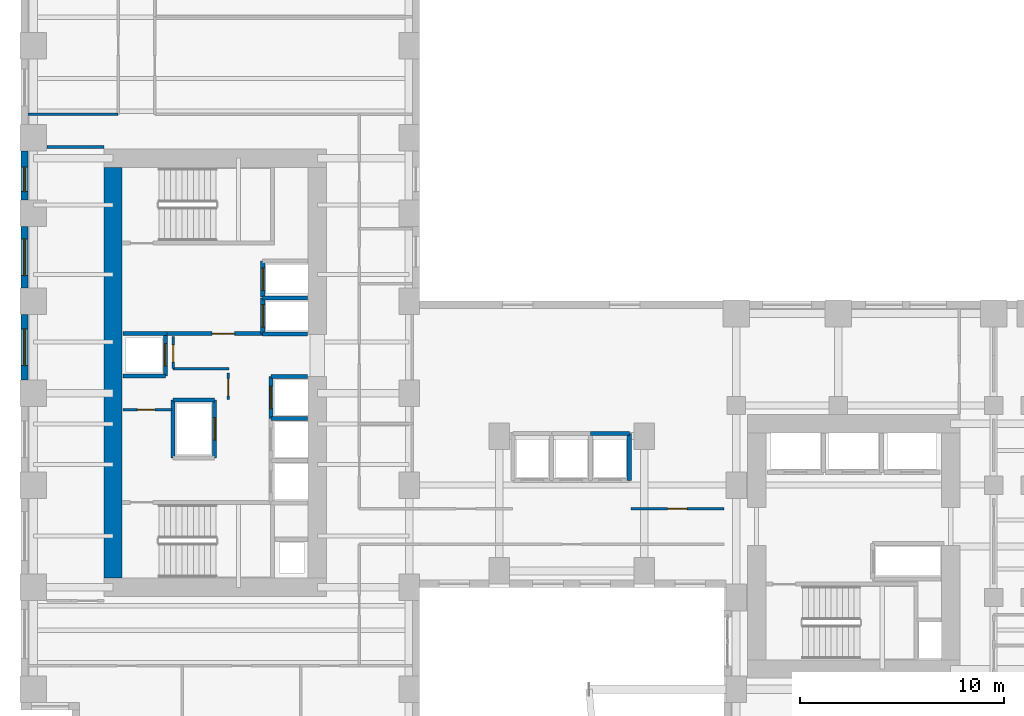
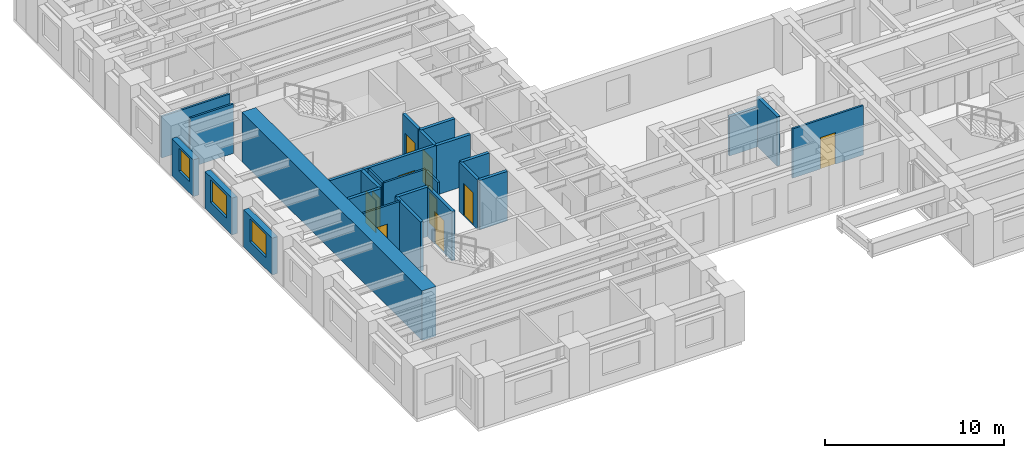
# One storey, part 8 of 14: 27 walls, 10 doors, 3 windows, 13 openings.
"""IFC4 building model written with IfcOpenShell, lengths in metres."""

from ifc_helpers import new_model, si_unit, direction, frame, frame_2d, origin, place, context, subcontext, project, spatial, rectangle, extrude, source, transform, mapped, material, layer, layer_set, type_object, element, fill, save


model = new_model("IFC4")

# Units and contexts
model_context = context("Model", 3, precision=1e-05, world=origin(), true_north=direction((0.0, 1.0)))
body_context = subcontext(model_context, "Body", "Model", "MODEL_VIEW")
ifc_project = project(units=[si_unit("LENGTHUNIT", "METRE"), si_unit("AREAUNIT", "SQUARE_METRE"), si_unit("VOLUMEUNIT", "CUBIC_METRE"), si_unit("PLANEANGLEUNIT", "RADIAN"), si_unit("MASSUNIT", "GRAM", prefix="KILO")], contexts=[model_context])

# Site, building, storey
site_placement = place(None, origin())
site = spatial("IfcSite", under=ifc_project, at=site_placement, CompositionType="ELEMENT")
building_placement = place(site_placement, origin())
building = spatial("IfcBuilding", under=site, at=building_placement, Name="Kharzan Plaza Tower", CompositionType="ELEMENT")
storey_placement = place(building_placement, frame((0.0, 0.0, 44.10009765625)))
storey = spatial("IfcBuildingStorey", under=building, at=storey_placement, Name="L11", CompositionType="ELEMENT", Elevation=44.10009765625)

# Wall, opening, window
ifc_material_1 = material(Name="Concrete C40/50", Category="concrete")
ifc_layer_1 = layer(ifc_material_1, 0.35009765625)
ifc_layer_set_1 = layer_set([ifc_layer_1], Name="Concrete C40/50")
wall_type_1 = type_object("IfcWallType", Name="WL-EXT-MAS-Z1", PredefinedType="SOLIDWALL", material=ifc_layer_set_1)
wall_1_placement = place(storey_placement, frame((0.175048828125, 29.85205078125, 0.0), z_axis=(0.0, 0.0, 1.0), x_axis=(0.0, -1.0, 0.0)))
wall_1 = element("IfcWall", 1, at=wall_1_placement, inside=storey, type_object=wall_type_1, Name="L11 Masonry-Frame Exterior Wall 14", PredefinedType="SOLIDWALL", context=body_context, shape_type="SweptSolid", body=[
    extrude(rectangle(XDim=2.404052734375, YDim=0.35009765625, at=frame_2d((1.2021484375, 0.0))), origin(), (0.0, 0.0, 1.0), 2.510009765625),
])
opening_1_placement = place(wall_1_placement, frame((0.786865234375, 0.0, 0.780029296875)))
opening_1 = element("IfcOpeningElement", 2, at=opening_1_placement, cuts=wall_1, Name="Opening W3", PredefinedType="OPENING", context=body_context, shape_type="SweptSolid", body=[
    extrude(rectangle(XDim=1.199951171875, YDim=1.550048828125, at=frame_2d((0.60009765625, 0.77490234375))), frame((0.0, 0.18505859375, 0.0), z_axis=(0.0, -1.0, 0.0), x_axis=(1.0, 0.0, 0.0)), (0.0, 0.0, 1.0), 0.3701171875),
])
ifc_material_2 = material(Name="Low-E Double Glazing", Category="glass")
window_type_1 = type_object("IfcWindowType", Name="WN-REC-1200x2100", PartitioningType="SINGLE_PANEL", PredefinedType="WINDOW", material=ifc_material_2)
shared_shape_1 = source(origin(), body_context, "Body", "SweptSolid", [
    extrude(rectangle(XDim=1.199951171875, YDim=1.550048828125, at=frame_2d((0.60009765625, 0.77490234375))), frame((0.0, 0.030029296875, 0.0), z_axis=(0.0, -1.0, 0.0), x_axis=(1.0, 0.0, 0.0)), (0.0, 0.0, 1.0), 0.06005859375),
])
window_1_placement = place(opening_1_placement, origin())
window_1 = element("IfcWindow", 3, at=window_1_placement, inside=storey, type_object=window_type_1, Name="L11 Recessed Solar-Control Window 14-1", OverallHeight=1.550048828125, OverallWidth=1.199951171875, PartitioningType="SINGLE_PANEL", PredefinedType="WINDOW", context=body_context, shape_type="MappedRepresentation", body=[
    mapped(shared_shape_1, transform((0.0, 0.0, 0.0), x_axis=(1.0, 0.0, 0.0), y_axis=(0.0, 1.0, 0.0), z_axis=(0.0, 0.0, 1.0))),
])
fill(opening_1, window_1)

wall_2_placement = place(storey_placement, frame((0.175048828125, 26.152099609375, 0.0), z_axis=(0.0, 0.0, 1.0), x_axis=(0.0, -1.0, 0.0)))
wall_2 = element("IfcWall", 4, at=wall_2_placement, inside=storey, type_object=wall_type_1, Name="L11 Masonry-Frame Exterior Wall 15", PredefinedType="SOLIDWALL", context=body_context, shape_type="SweptSolid", body=[
    extrude(rectangle(XDim=3.004150390625, YDim=0.35009765625, at=frame_2d((1.501953125, 0.0))), origin(), (0.0, 0.0, 1.0), 2.510009765625),
])
opening_2_placement = place(wall_2_placement, frame((0.60205078125, 0.0, 0.780029296875)))
opening_2 = element("IfcOpeningElement", 5, at=opening_2_placement, cuts=wall_2, Name="Opening W1", PredefinedType="OPENING", context=body_context, shape_type="SweptSolid", body=[
    extrude(rectangle(XDim=1.800048828125, YDim=1.550048828125, at=frame_2d((0.89990234375, 0.77490234375))), frame((0.0, 0.18505859375, 0.0), z_axis=(0.0, -1.0, 0.0), x_axis=(1.0, 0.0, 0.0)), (0.0, 0.0, 1.0), 0.3701171875),
])
window_type_2 = type_object("IfcWindowType", Name="WN-REC-1800x2100", PartitioningType="SINGLE_PANEL", PredefinedType="WINDOW", material=ifc_material_2)
shared_shape_2 = source(origin(), body_context, "Body", "SweptSolid", [
    extrude(rectangle(XDim=1.800048828125, YDim=1.550048828125, at=frame_2d((0.89990234375, 0.77490234375))), frame((0.0, 0.030029296875, 0.0), z_axis=(0.0, -1.0, 0.0), x_axis=(1.0, 0.0, 0.0)), (0.0, 0.0, 1.0), 0.06005859375),
])
window_2_placement = place(opening_2_placement, origin())
window_2 = element("IfcWindow", 6, at=window_2_placement, inside=storey, type_object=window_type_2, Name="L11 Recessed Solar-Control Window 15-1", OverallHeight=1.550048828125, OverallWidth=1.800048828125, PartitioningType="SINGLE_PANEL", PredefinedType="WINDOW", context=body_context, shape_type="MappedRepresentation", body=[
    mapped(shared_shape_2, transform((0.0, 0.0, 0.0), x_axis=(1.0, 0.0, 0.0), y_axis=(0.0, 1.0, 0.0), z_axis=(0.0, 0.0, 1.0))),
])
fill(opening_2, window_2)

wall_3_placement = place(storey_placement, frame((0.175048828125, 21.85205078125, 0.0), z_axis=(0.0, 0.0, 1.0), x_axis=(0.0, -1.0, 0.0)))
wall_3 = element("IfcWall", 7, at=wall_3_placement, inside=storey, type_object=wall_type_1, Name="L11 Masonry-Frame Exterior Wall 16", PredefinedType="SOLIDWALL", context=body_context, shape_type="SweptSolid", body=[
    extrude(rectangle(XDim=3.2041015625, YDim=0.35009765625, at=frame_2d((1.60205078125, 0.0))), origin(), (0.0, 0.0, 1.0), 2.510009765625),
])
opening_3_placement = place(wall_3_placement, frame((0.701904296875, 0.0, 0.780029296875)))
opening_3 = element("IfcOpeningElement", 8, at=opening_3_placement, cuts=wall_3, Name="Opening W1", PredefinedType="OPENING", context=body_context, shape_type="SweptSolid", body=[
    extrude(rectangle(XDim=1.800048828125, YDim=1.550048828125, at=frame_2d((0.89990234375, 0.77490234375))), frame((0.0, 0.18505859375, 0.0), z_axis=(0.0, -1.0, 0.0), x_axis=(1.0, 0.0, 0.0)), (0.0, 0.0, 1.0), 0.3701171875),
])
window_3_placement = place(opening_3_placement, origin())
window_3 = element("IfcWindow", 9, at=window_3_placement, inside=storey, type_object=window_type_2, Name="L11 Recessed Solar-Control Window 16-1", OverallHeight=1.550048828125, OverallWidth=1.800048828125, PartitioningType="SINGLE_PANEL", PredefinedType="WINDOW", context=body_context, shape_type="MappedRepresentation", body=[
    mapped(shared_shape_2, transform((0.0, 0.0, 0.0), x_axis=(1.0, 0.0, 0.0), y_axis=(0.0, 1.0, 0.0), z_axis=(0.0, 0.0, 1.0))),
])
fill(opening_3, window_3)

# Wall, opening, door
ifc_layer_2 = layer(ifc_material_1, 0.179931640625)
ifc_layer_set_2 = layer_set([ifc_layer_2], Name="Concrete C40/50")
wall_type_2 = type_object("IfcWallType", Name="WL-INT-FIRE-180", PredefinedType="PARTITIONING", material=ifc_layer_set_2)
wall_4_placement = place(storey_placement, frame((7.14990234375, 20.919921875, 0.0), z_axis=(0.0, 0.0, 1.0), x_axis=(1.0, 0.0, 0.0)))
wall_4 = element("IfcWall", 10, at=wall_4_placement, inside=storey, type_object=wall_type_2, Name="L11 Interior Partition CA-FF-S", PredefinedType="PARTITIONING", context=body_context, shape_type="SweptSolid", body=[
    extrude(rectangle(XDim=4.68017578125, YDim=0.179931640625, at=frame_2d((2.340087890625, 0.0))), origin(), (0.0, 0.0, 1.0), 3.364990234375),
])
opening_4_placement = place(wall_4_placement, frame((2.199951171875, 0.0, 0.0)))
opening_4 = element("IfcOpeningElement", 11, at=opening_4_placement, cuts=wall_4, Name="Opening FD1", PredefinedType="OPENING", context=body_context, shape_type="SweptSolid", body=[
    extrude(rectangle(XDim=1.10009765625, YDim=2.14990234375, at=frame_2d((0.550048828125, 1.074951171875))), frame((0.0, 0.099853515625, 0.0), z_axis=(0.0, -1.0, 0.0), x_axis=(1.0, 0.0, 0.0)), (0.0, 0.0, 1.0), 0.199951171875),
])
ifc_material_3 = material(Name="Fire-Rated Acoustic Vision-Panel Steel", Category="steel")
door_type_1 = type_object("IfcDoorType", Name="DR-FIRE-LOBBY", OperationType="NOTDEFINED", PredefinedType="DOOR", material=ifc_material_3)
shared_shape_3 = source(origin(), body_context, "Body", "SweptSolid", [
    extrude(rectangle(XDim=1.10009765625, YDim=2.14990234375, at=frame_2d((0.550048828125, 1.074951171875))), frame((0.0, 0.02490234375, 0.0), z_axis=(0.0, -1.0, 0.0), x_axis=(1.0, 0.0, 0.0)), (0.0, 0.0, 1.0), 0.050048828125),
])
door_1_placement = place(opening_4_placement, origin())
door_1 = element("IfcDoor", 12, at=door_1_placement, inside=storey, type_object=door_type_1, Name="L11 Firefighting Lobby Door", OperationType="SINGLE_SWING_RIGHT", OverallHeight=2.14990234375, OverallWidth=1.10009765625, PredefinedType="DOOR", context=body_context, shape_type="MappedRepresentation", body=[
    mapped(shared_shape_3, transform((0.0, 0.0, 0.0), x_axis=(1.0, 0.0, 0.0), y_axis=(0.0, 1.0, 0.0), z_axis=(0.0, 0.0, 1.0))),
])
fill(opening_4, door_1)

ifc_material_4 = material(Name="Fire-Rated Gypsum Board Partition", Category="gypsum")
ifc_layer_3 = layer(ifc_material_4, 0.125)
ifc_layer_set_3 = layer_set([ifc_layer_3], Name="Fire-Rated Gypsum Board Partition")
wall_type_3 = type_object("IfcWallType", Name="WL-INT-PART-125", PredefinedType="PARTITIONING", material=ifc_layer_set_3)
wall_5_placement = place(storey_placement, frame((10.14990234375, 17.679931640625, 0.0), z_axis=(0.0, 0.0, 1.0), x_axis=(0.0, 1.0, 0.0)))
wall_5 = element("IfcWall", 13, at=wall_5_placement, inside=storey, type_object=wall_type_3, Name="L11 Interior Partition CA-K2A", PredefinedType="PARTITIONING", context=body_context, shape_type="SweptSolid", body=[
    extrude(rectangle(XDim=1.320068359375, YDim=0.125, at=frame_2d((0.66015625, 0.0))), origin(), (0.0, 0.0, 1.0), 3.364990234375),
])
opening_5_placement = place(wall_5_placement, frame((0.18505859375, 0.0, 0.0)))
opening_5 = element("IfcOpeningElement", 14, at=opening_5_placement, cuts=wall_5, Name="Opening RD1", PredefinedType="OPENING", context=body_context, shape_type="SweptSolid", body=[
    extrude(rectangle(XDim=0.85009765625, YDim=2.10009765625, at=frame_2d((0.425048828125, 1.050048828125))), frame((0.0, 0.072509765625, 0.0), z_axis=(0.0, -1.0, 0.0), x_axis=(1.0, 0.0, 0.0)), (0.0, 0.0, 1.0), 0.14501953125),
])
ifc_material_5 = material(Name="Powder-Coated Fire-Rated Steel", Category="steel")
door_type_2 = type_object("IfcDoorType", Name="DR-RISER-900", OperationType="NOTDEFINED", PredefinedType="DOOR", material=ifc_material_5)
shared_shape_4 = source(origin(), body_context, "Body", "SweptSolid", [
    extrude(rectangle(XDim=0.85009765625, YDim=2.10009765625, at=frame_2d((0.425048828125, 1.050048828125))), frame((0.0, 0.02490234375, 0.0), z_axis=(0.0, -1.0, 0.0), x_axis=(1.0, 0.0, 0.0)), (0.0, 0.0, 1.0), 0.050048828125),
])
door_2_placement = place(opening_5_placement, origin())
door_2 = element("IfcDoor", 15, at=door_2_placement, inside=storey, type_object=door_type_2, Name="L11 Core Mechanical Store Door", OperationType="SINGLE_SWING_LEFT", OverallHeight=2.10009765625, OverallWidth=0.85009765625, PredefinedType="DOOR", context=body_context, shape_type="MappedRepresentation", body=[
    mapped(shared_shape_4, transform((0.0, 0.0, 0.0), x_axis=(1.0, 0.0, 0.0), y_axis=(0.0, 1.0, 0.0), z_axis=(0.0, 0.0, 1.0))),
])
fill(opening_5, door_2)

wall_6_placement = place(storey_placement, frame((7.449951171875, 19.199951171875, 0.0), z_axis=(0.0, 0.0, 1.0), x_axis=(0.0, 1.0, 0.0)))
wall_6 = element("IfcWall", 16, at=wall_6_placement, inside=storey, type_object=wall_type_3, Name="L11 Interior Partition CA-K2B", PredefinedType="PARTITIONING", context=body_context, shape_type="SweptSolid", body=[
    extrude(rectangle(XDim=1.580078125, YDim=0.125, at=frame_2d((0.7900390625, 0.0))), origin(), (0.0, 0.0, 1.0), 3.364990234375),
])
opening_6_placement = place(wall_6_placement, frame((0.31494140625, 0.0, 0.0)))
opening_6 = element("IfcOpeningElement", 17, at=opening_6_placement, cuts=wall_6, Name="Opening RD1", PredefinedType="OPENING", context=body_context, shape_type="SweptSolid", body=[
    extrude(rectangle(XDim=0.85009765625, YDim=2.10009765625, at=frame_2d((0.425048828125, 1.050048828125))), frame((0.0, 0.072509765625, 0.0), z_axis=(0.0, -1.0, 0.0), x_axis=(1.0, 0.0, 0.0)), (0.0, 0.0, 1.0), 0.14501953125),
])
door_3_placement = place(opening_6_placement, origin())
door_3 = element("IfcDoor", 18, at=door_3_placement, inside=storey, type_object=door_type_2, Name="L11 Core Plant Store Door", OperationType="SINGLE_SWING_RIGHT", OverallHeight=2.10009765625, OverallWidth=0.85009765625, PredefinedType="DOOR", context=body_context, shape_type="MappedRepresentation", body=[
    mapped(shared_shape_4, transform((0.0, 0.0, 0.0), x_axis=(1.0, 0.0, 0.0), y_axis=(0.0, 1.0, 0.0), z_axis=(0.0, 0.0, 1.0))),
])
fill(opening_6, door_3)

wall_7_placement = place(storey_placement, frame((5.0, 17.199951171875, 0.0), z_axis=(0.0, 0.0, 1.0), x_axis=(1.0, 0.0, 0.0)))
wall_7 = element("IfcWall", 19, at=wall_7_placement, inside=storey, type_object=wall_type_3, Name="L11 Interior Partition CA-K2N0", PredefinedType="PARTITIONING", context=body_context, shape_type="SweptSolid", body=[
    extrude(rectangle(XDim=2.39990234375, YDim=0.125, at=frame_2d((1.199951171875, 0.0))), origin(), (0.0, 0.0, 1.0), 3.364990234375),
])
opening_7_placement = place(wall_7_placement, frame((0.699951171875, 0.0, 0.0)))
opening_7 = element("IfcOpeningElement", 20, at=opening_7_placement, cuts=wall_7, Name="Opening RD1", PredefinedType="OPENING", context=body_context, shape_type="SweptSolid", body=[
    extrude(rectangle(XDim=0.85009765625, YDim=2.10009765625, at=frame_2d((0.425048828125, 1.050048828125))), frame((0.0, 0.072509765625, 0.0), z_axis=(0.0, -1.0, 0.0), x_axis=(1.0, 0.0, 0.0)), (0.0, 0.0, 1.0), 0.14501953125),
])
door_4_placement = place(opening_7_placement, origin())
door_4 = element("IfcDoor", 21, at=door_4_placement, inside=storey, type_object=door_type_2, Name="L11 Core Electrical Store Door", OperationType="SINGLE_SWING_RIGHT", OverallHeight=2.10009765625, OverallWidth=0.85009765625, PredefinedType="DOOR", context=body_context, shape_type="MappedRepresentation", body=[
    mapped(shared_shape_4, transform((0.0, 0.0, 0.0), x_axis=(1.0, 0.0, 0.0), y_axis=(0.0, 1.0, 0.0), z_axis=(0.0, 0.0, 1.0))),
])
fill(opening_7, door_4)

wall_8_placement = place(storey_placement, frame((29.85009765625, 12.35009765625, 0.0), z_axis=(0.0, 0.0, 1.0), x_axis=(1.0, 0.0, 0.0)))
wall_8 = element("IfcWall", 22, at=wall_8_placement, inside=storey, type_object=wall_type_3, Name="L11 Interior Partition SH-SPNE1", PredefinedType="PARTITIONING", context=body_context, shape_type="SweptSolid", body=[
    extrude(rectangle(XDim=4.5498046875, YDim=0.125, at=frame_2d((2.27490234375, 0.0))), origin(), (0.0, 0.0, 1.0), 3.364990234375),
])
opening_8_placement = place(wall_8_placement, frame((1.800048828125, 0.0, 0.0)))
opening_8 = element("IfcOpeningElement", 23, at=opening_8_placement, cuts=wall_8, Name="Opening OD1", PredefinedType="OPENING", context=body_context, shape_type="SweptSolid", body=[
    extrude(rectangle(XDim=0.949951171875, YDim=2.14990234375, at=frame_2d((0.47509765625, 1.074951171875))), frame((0.0, 0.072509765625, 0.0), z_axis=(0.0, -1.0, 0.0), x_axis=(1.0, 0.0, 0.0)), (0.0, 0.0, 1.0), 0.14501953125),
])
ifc_material_6 = material(Name="Acoustic Solid-Core Stained Oak", Category="timber")
door_type_3 = type_object("IfcDoorType", Name="DR-OFF-SINGLE", OperationType="NOTDEFINED", PredefinedType="DOOR", material=ifc_material_6)
shared_shape_5 = source(origin(), body_context, "Body", "SweptSolid", [
    extrude(rectangle(XDim=0.949951171875, YDim=2.14990234375, at=frame_2d((0.47509765625, 1.074951171875))), frame((0.0, 0.02490234375, 0.0), z_axis=(0.0, -1.0, 0.0), x_axis=(1.0, 0.0, 0.0)), (0.0, 0.0, 1.0), 0.050048828125),
])
door_5_placement = place(opening_8_placement, origin())
door_5 = element("IfcDoor", 24, at=door_5_placement, inside=storey, type_object=door_type_3, Name="L11 North-East Spine Door", OperationType="SINGLE_SWING_RIGHT", OverallHeight=2.14990234375, OverallWidth=0.949951171875, PredefinedType="DOOR", context=body_context, shape_type="MappedRepresentation", body=[
    mapped(shared_shape_5, transform((0.0, 0.0, 0.0), x_axis=(1.0, 0.0, 0.0), y_axis=(0.0, 1.0, 0.0), z_axis=(0.0, 0.0, 1.0))),
])
fill(opening_8, door_5)

ifc_layer_4 = layer(ifc_material_1, 0.199951171875)
ifc_layer_set_4 = layer_set([ifc_layer_4], Name="Concrete C40/50")
wall_type_4 = type_object("IfcWallType", Name="WL-INT-SHAFT-200", PredefinedType="PARTITIONING", material=ifc_layer_set_4)
wall_9_placement = place(storey_placement, frame((11.830078125, 20.89990234375, 0.0), z_axis=(0.0, 0.0, 1.0), x_axis=(0.0, 1.0, 0.0)))
wall_9 = element("IfcWall", 25, at=wall_9_placement, inside=storey, type_object=wall_type_4, Name="L11 Interior Partition SHF-FFL-1-W", PredefinedType="PARTITIONING", context=body_context, shape_type="SweptSolid", body=[
    extrude(rectangle(XDim=1.760009765625, YDim=0.199951171875, at=frame_2d((0.8798828125, 0.0))), origin(), (0.0, 0.0, 1.0), 3.364990234375),
])
opening_9_placement = place(wall_9_placement, frame((0.330078125, 0.0, 0.0)))
opening_9 = element("IfcOpeningElement", 26, at=opening_9_placement, cuts=wall_9, Name="Opening LD", PredefinedType="OPENING", context=body_context, shape_type="SweptSolid", body=[
    extrude(rectangle(XDim=1.10009765625, YDim=2.199951171875, at=frame_2d((0.550048828125, 1.10009765625))), frame((0.0, 0.10986328125, 0.0), z_axis=(0.0, -1.0, 0.0), x_axis=(1.0, 0.0, 0.0)), (0.0, 0.0, 1.0), 0.219970703125),
])
ifc_material_7 = material(Name="Brushed Stainless Steel", Category="steel")
door_type_4 = type_object("IfcDoorType", Name="DR-LIFT-SLIDE", OperationType="SLIDING_TO_LEFT", PredefinedType="DOOR", material=ifc_material_7)
shared_shape_6 = source(origin(), body_context, "Body", "SweptSolid", [
    extrude(rectangle(XDim=1.10009765625, YDim=2.199951171875, at=frame_2d((0.550048828125, 1.10009765625))), frame((0.0, 0.02490234375, 0.0), z_axis=(0.0, -1.0, 0.0), x_axis=(1.0, 0.0, 0.0)), (0.0, 0.0, 1.0), 0.050048828125),
])
door_6_placement = place(opening_9_placement, origin())
door_6 = element("IfcDoor", 27, at=door_6_placement, inside=storey, type_object=door_type_4, Name="L11 Firefighting Lift FFL-1 Sliding Landing Door", OperationType="SLIDING_TO_LEFT", OverallHeight=2.199951171875, OverallWidth=1.10009765625, PredefinedType="DOOR", context=body_context, shape_type="MappedRepresentation", body=[
    mapped(shared_shape_6, transform((0.0, 0.0, 0.0), x_axis=(1.0, 0.0, 0.0), y_axis=(0.0, 1.0, 0.0), z_axis=(0.0, 0.0, 1.0))),
])
fill(opening_9, door_6)

wall_10_placement = place(storey_placement, frame((11.830078125, 22.699951171875, 0.0), z_axis=(0.0, 0.0, 1.0), x_axis=(0.0, 1.0, 0.0)))
wall_10 = element("IfcWall", 28, at=wall_10_placement, inside=storey, type_object=wall_type_4, Name="L11 Interior Partition SHF-FFL-2-W", PredefinedType="PARTITIONING", context=body_context, shape_type="SweptSolid", body=[
    extrude(rectangle(XDim=1.760009765625, YDim=0.199951171875, at=frame_2d((0.8798828125, 0.0))), origin(), (0.0, 0.0, 1.0), 3.364990234375),
])
opening_10_placement = place(wall_10_placement, frame((0.330078125, 0.0, 0.0)))
opening_10 = element("IfcOpeningElement", 29, at=opening_10_placement, cuts=wall_10, Name="Opening LD", PredefinedType="OPENING", context=body_context, shape_type="SweptSolid", body=[
    extrude(rectangle(XDim=1.10009765625, YDim=2.199951171875, at=frame_2d((0.550048828125, 1.10009765625))), frame((0.0, 0.10986328125, 0.0), z_axis=(0.0, -1.0, 0.0), x_axis=(1.0, 0.0, 0.0)), (0.0, 0.0, 1.0), 0.219970703125),
])
door_7_placement = place(opening_10_placement, origin())
door_7 = element("IfcDoor", 30, at=door_7_placement, inside=storey, type_object=door_type_4, Name="L11 Firefighting Lift FFL-2 Sliding Landing Door", OperationType="SLIDING_TO_LEFT", OverallHeight=2.199951171875, OverallWidth=1.10009765625, PredefinedType="DOOR", context=body_context, shape_type="MappedRepresentation", body=[
    mapped(shared_shape_6, transform((0.0, 0.0, 0.0), x_axis=(1.0, 0.0, 0.0), y_axis=(0.0, 1.0, 0.0), z_axis=(0.0, 0.0, 1.0))),
])
fill(opening_10, door_7)

wall_11_placement = place(storey_placement, frame((12.22998046875, 16.77001953125, 0.0), z_axis=(0.0, 0.0, 1.0), x_axis=(0.0, 1.0, 0.0)))
wall_11 = element("IfcWall", 31, at=wall_11_placement, inside=storey, type_object=wall_type_4, Name="L11 Interior Partition SHF-PL-H3-W", PredefinedType="PARTITIONING", context=body_context, shape_type="SweptSolid", body=[
    extrude(rectangle(XDim=2.050048828125, YDim=0.199951171875, at=frame_2d((1.02490234375, 0.0))), origin(), (0.0, 0.0, 1.0), 3.364990234375),
])
opening_11_placement = place(wall_11_placement, frame((0.47509765625, 0.0, 0.0)))
opening_11 = element("IfcOpeningElement", 32, at=opening_11_placement, cuts=wall_11, Name="Opening LD", PredefinedType="OPENING", context=body_context, shape_type="SweptSolid", body=[
    extrude(rectangle(XDim=1.10009765625, YDim=2.199951171875, at=frame_2d((0.550048828125, 1.10009765625))), frame((0.0, 0.10986328125, 0.0), z_axis=(0.0, -1.0, 0.0), x_axis=(1.0, 0.0, 0.0)), (0.0, 0.0, 1.0), 0.219970703125),
])
door_8_placement = place(opening_11_placement, origin())
door_8 = element("IfcDoor", 33, at=door_8_placement, inside=storey, type_object=door_type_4, Name="L11 High-Rise Passenger Lift PL-H3 Sliding Landing Door", OperationType="SLIDING_TO_LEFT", OverallHeight=2.199951171875, OverallWidth=1.10009765625, PredefinedType="DOOR", context=body_context, shape_type="MappedRepresentation", body=[
    mapped(shared_shape_6, transform((0.0, 0.0, 0.0), x_axis=(1.0, 0.0, 0.0), y_axis=(0.0, 1.0, 0.0), z_axis=(0.0, 0.0, 1.0))),
])
fill(opening_11, door_8)

wall_12_placement = place(storey_placement, frame((7.070068359375, 18.840087890625, 0.0), z_axis=(0.0, 0.0, 1.0), x_axis=(0.0, 1.0, 0.0)))
wall_12 = element("IfcWall", 34, at=wall_12_placement, inside=storey, type_object=wall_type_4, Name="L11 Interior Partition SHF-PL-H4-E", PredefinedType="PARTITIONING", context=body_context, shape_type="SweptSolid", body=[
    extrude(rectangle(XDim=2.059814453125, YDim=0.199951171875, at=frame_2d((1.02978515625, 0.0))), origin(), (0.0, 0.0, 1.0), 3.364990234375),
])
opening_12_placement = place(wall_12_placement, frame((0.47998046875, 0.0, 0.0)))
opening_12 = element("IfcOpeningElement", 35, at=opening_12_placement, cuts=wall_12, Name="Opening LD", PredefinedType="OPENING", context=body_context, shape_type="SweptSolid", body=[
    extrude(rectangle(XDim=1.10009765625, YDim=2.199951171875, at=frame_2d((0.550048828125, 1.10009765625))), frame((0.0, 0.10986328125, 0.0), z_axis=(0.0, -1.0, 0.0), x_axis=(1.0, 0.0, 0.0)), (0.0, 0.0, 1.0), 0.219970703125),
])
door_9_placement = place(opening_12_placement, origin())
door_9 = element("IfcDoor", 36, at=door_9_placement, inside=storey, type_object=door_type_4, Name="L11 High-Rise Passenger Lift PL-H4 Sliding Landing Door", OperationType="SLIDING_TO_LEFT", OverallHeight=2.199951171875, OverallWidth=1.10009765625, PredefinedType="DOOR", context=body_context, shape_type="MappedRepresentation", body=[
    mapped(shared_shape_6, transform((0.0, 0.0, 0.0), x_axis=(1.0, 0.0, 0.0), y_axis=(0.0, 1.0, 0.0), z_axis=(0.0, 0.0, 1.0))),
])
fill(opening_12, door_9)

wall_13_placement = place(storey_placement, frame((9.469970703125, 14.830078125, 0.0), z_axis=(0.0, 0.0, 1.0), x_axis=(0.0, 1.0, 0.0)))
wall_13 = element("IfcWall", 37, at=wall_13_placement, inside=storey, type_object=wall_type_4, Name="L11 Interior Partition SHF-SVL-1-E", PredefinedType="PARTITIONING", context=body_context, shape_type="SweptSolid", body=[
    extrude(rectangle(XDim=2.83984375, YDim=0.199951171875, at=frame_2d((1.419921875, 0.0))), origin(), (0.0, 0.0, 1.0), 3.364990234375),
])
opening_13_placement = place(wall_13_placement, frame((0.8701171875, 0.0, 0.0)))
opening_13 = element("IfcOpeningElement", 38, at=opening_13_placement, cuts=wall_13, Name="Opening LD", PredefinedType="OPENING", context=body_context, shape_type="SweptSolid", body=[
    extrude(rectangle(XDim=1.10009765625, YDim=2.199951171875, at=frame_2d((0.550048828125, 1.10009765625))), frame((0.0, 0.10986328125, 0.0), z_axis=(0.0, -1.0, 0.0), x_axis=(1.0, 0.0, 0.0)), (0.0, 0.0, 1.0), 0.219970703125),
])
door_10_placement = place(opening_13_placement, origin())
door_10 = element("IfcDoor", 39, at=door_10_placement, inside=storey, type_object=door_type_4, Name="L11 Service Lift SVL-1 Sliding Landing Door", OperationType="SLIDING_TO_LEFT", OverallHeight=2.199951171875, OverallWidth=1.10009765625, PredefinedType="DOOR", context=body_context, shape_type="MappedRepresentation", body=[
    mapped(shared_shape_6, transform((0.0, 0.0, 0.0), x_axis=(1.0, 0.0, 0.0), y_axis=(0.0, 1.0, 0.0), z_axis=(0.0, 0.0, 1.0))),
])
fill(opening_13, door_10)

# Walls
ifc_material_8 = material(Name="Concrete C60/75", Category="concrete")
ifc_layer_5 = layer(ifc_material_8, 0.89990234375)
ifc_layer_set_5 = layer_set([ifc_layer_5], Name="Concrete C60/75")
wall_type_5 = type_object("IfcWallType", Name="WL-CORE-900", PredefinedType="SHEAR", material=ifc_layer_set_5)
shared_shape_7 = source(origin(), body_context, "Body", "SweptSolid", [
    extrude(rectangle(XDim=20.10009765625, YDim=0.89990234375, at=frame_2d((10.050048828125, 0.0))), origin(), (0.0, 0.0, 1.0), 3.3798828125),
])
wall_14_placement = place(storey_placement, frame((4.5, 8.949951171875, 0.0), z_axis=(0.0, 0.0, 1.0), x_axis=(0.0, 1.0, 0.0)))
element("IfcWall", 40, at=wall_14_placement, inside=storey, type_object=wall_type_5, Name="L11 CORE-A west RC shear wall", PredefinedType="SHEAR", context=body_context, shape_type="MappedRepresentation", body=[
    mapped(shared_shape_7, transform((0.0, 0.0, 0.0), x_axis=(1.0, 0.0, 0.0), y_axis=(0.0, 1.0, 0.0), z_axis=(0.0, 0.0, 1.0))),
])
shared_shape_8 = source(origin(), body_context, "Body", "SweptSolid", [
    extrude(rectangle(XDim=2.169921875, YDim=0.179931640625, at=frame_2d((1.0849609375, 0.0))), origin(), (0.0, 0.0, 1.0), 3.364990234375),
])
wall_15_placement = place(storey_placement, frame((4.97998046875, 20.919921875, 0.0), z_axis=(0.0, 0.0, 1.0), x_axis=(1.0, 0.0, 0.0)))
element("IfcWall", 41, at=wall_15_placement, inside=storey, type_object=wall_type_2, Name="L11 Interior Partition CA-FF-SW", PredefinedType="PARTITIONING", context=body_context, shape_type="MappedRepresentation", body=[
    mapped(shared_shape_8, transform((0.0, 0.0, 0.0), x_axis=(1.0, 0.0, 0.0), y_axis=(0.0, 1.0, 0.0), z_axis=(0.0, 0.0, 1.0))),
])
shared_shape_9 = source(origin(), body_context, "Body", "SweptSolid", [
    extrude(rectangle(XDim=2.72998046875, YDim=0.125, at=frame_2d((1.364990234375, 0.0))), origin(), (0.0, 0.0, 1.0), 3.364990234375),
])
wall_16_placement = place(storey_placement, frame((7.449951171875, 19.199951171875, 0.0), z_axis=(0.0, 0.0, 1.0), x_axis=(1.0, 0.0, 0.0)))
element("IfcWall", 42, at=wall_16_placement, inside=storey, type_object=wall_type_3, Name="L11 Interior Partition CA-K2M", PredefinedType="PARTITIONING", context=body_context, shape_type="MappedRepresentation", body=[
    mapped(shared_shape_9, transform((0.0, 0.0, 0.0), x_axis=(1.0, 0.0, 0.0), y_axis=(0.0, 1.0, 0.0), z_axis=(0.0, 0.0, 1.0))),
])
shared_shape_10 = source(origin(), body_context, "Body", "SweptSolid", [
    extrude(rectangle(XDim=4.39794921875, YDim=0.125, at=frame_2d((2.198974609375, 0.0))), origin(), (0.0, 0.0, 1.0), 2.827880859375),
])
wall_17_placement = place(storey_placement, frame((0.35205078125, 31.64990234375, 0.0), z_axis=(0.0, 0.0, 1.0), x_axis=(1.0, 0.0, 0.0)))
element("IfcWall", 43, at=wall_17_placement, inside=storey, type_object=wall_type_3, Name="L11 Interior Partition SH-NNW", PredefinedType="PARTITIONING", context=body_context, shape_type="MappedRepresentation", body=[
    mapped(shared_shape_10, transform((0.0, 0.0, 0.0), x_axis=(1.0, 0.0, 0.0), y_axis=(0.0, 1.0, 0.0), z_axis=(0.0, 0.0, 1.0))),
])
shared_shape_11 = source(origin(), body_context, "Body", "SweptSolid", [
    extrude(rectangle(XDim=2.7900390625, YDim=0.125, at=frame_2d((1.39501953125, 0.0))), origin(), (0.0, 0.0, 1.0), 3.364990234375),
])
wall_18_placement = place(storey_placement, frame((1.260009765625, 30.050048828125, 0.0), z_axis=(0.0, 0.0, 1.0), x_axis=(1.0, 0.0, 0.0)))
element("IfcWall", 44, at=wall_18_placement, inside=storey, type_object=wall_type_3, Name="L11 Interior Partition SH-RWN0", PredefinedType="PARTITIONING", context=body_context, shape_type="MappedRepresentation", body=[
    mapped(shared_shape_11, transform((0.0, 0.0, 0.0), x_axis=(1.0, 0.0, 0.0), y_axis=(0.0, 1.0, 0.0), z_axis=(0.0, 0.0, 1.0))),
])
shared_shape_12 = source(origin(), body_context, "Body", "SweptSolid", [
    extrude(rectangle(XDim=2.18994140625, YDim=0.199951171875, at=frame_2d((1.094970703125, 0.0))), origin(), (0.0, 0.0, 1.0), 3.364990234375),
])
for number, where, z_axis, x_axis, name in (
    (45, (11.830078125, 22.659912109375, 0.0), (0.0, 0.0, 1.0), (1.0, 0.0, 0.0), "L11 Interior Partition SHF-FFL-1-N"),
    (46, (11.830078125, 20.89990234375, 0.0), (0.0, 0.0, 1.0), (1.0, 0.0, 0.0), "L11 Interior Partition SHF-FFL-1-S"),
):
    element("IfcWall", number, at=place(storey_placement, frame(where, z_axis=z_axis, x_axis=x_axis)), inside=storey, type_object=wall_type_4, Name=name, PredefinedType="PARTITIONING", context=body_context, shape_type="MappedRepresentation", body=[
        mapped(shared_shape_12, transform((0.0, 0.0, 0.0), x_axis=(1.0, 0.0, 0.0), y_axis=(0.0, 1.0, 0.0), z_axis=(0.0, 0.0, 1.0))),
    ])
shared_shape_13 = source(origin(), body_context, "Body", "SweptSolid", [
    extrude(rectangle(XDim=1.7900390625, YDim=0.199951171875, at=frame_2d((0.89501953125, 0.0))), origin(), (0.0, 0.0, 1.0), 3.364990234375),
])
for number, where, z_axis, x_axis, name in (
    (47, (12.22998046875, 16.77001953125, 0.0), (0.0, 0.0, 1.0), (1.0, 0.0, 0.0), "L11 Interior Partition SHF-PL-H2-N"),
    (48, (12.22998046875, 18.820068359375, 0.0), (0.0, 0.0, 1.0), (1.0, 0.0, 0.0), "L11 Interior Partition SHF-PL-H3-N"),
):
    element("IfcWall", number, at=place(storey_placement, frame(where, z_axis=z_axis, x_axis=x_axis)), inside=storey, type_object=wall_type_4, Name=name, PredefinedType="PARTITIONING", context=body_context, shape_type="MappedRepresentation", body=[
        mapped(shared_shape_13, transform((0.0, 0.0, 0.0), x_axis=(1.0, 0.0, 0.0), y_axis=(0.0, 1.0, 0.0), z_axis=(0.0, 0.0, 1.0))),
    ])
shared_shape_14 = source(origin(), body_context, "Body", "SweptSolid", [
    extrude(rectangle(XDim=2.090087890625, YDim=0.199951171875, at=frame_2d((1.044921875, 0.0))), origin(), (0.0, 0.0, 1.0), 3.364990234375),
])
wall_19_placement = place(storey_placement, frame((4.97998046875, 18.840087890625, 0.0), z_axis=(0.0, 0.0, 1.0), x_axis=(1.0, 0.0, 0.0)))
element("IfcWall", 49, at=wall_19_placement, inside=storey, type_object=wall_type_4, Name="L11 Interior Partition SHF-PL-H4-S", PredefinedType="PARTITIONING", context=body_context, shape_type="MappedRepresentation", body=[
    mapped(shared_shape_14, transform((0.0, 0.0, 0.0), x_axis=(1.0, 0.0, 0.0), y_axis=(0.0, 1.0, 0.0), z_axis=(0.0, 0.0, 1.0))),
])
shared_shape_15 = source(origin(), body_context, "Body", "SweptSolid", [
    extrude(rectangle(XDim=2.2900390625, YDim=0.199951171875, at=frame_2d((1.14501953125, 0.0))), origin(), (0.0, 0.0, 1.0), 3.364990234375),
])
wall_20_placement = place(storey_placement, frame((29.77001953125, 13.72998046875, 0.0), z_axis=(0.0, 0.0, 1.0), x_axis=(0.0, 1.0, 0.0)))
element("IfcWall", 50, at=wall_20_placement, inside=storey, type_object=wall_type_4, Name="L11 Interior Partition SHF-PL-M3-E", PredefinedType="PARTITIONING", context=body_context, shape_type="MappedRepresentation", body=[
    mapped(shared_shape_15, transform((0.0, 0.0, 0.0), x_axis=(1.0, 0.0, 0.0), y_axis=(0.0, 1.0, 0.0), z_axis=(0.0, 0.0, 1.0))),
])
shared_shape_16 = source(origin(), body_context, "Body", "SweptSolid", [
    extrude(rectangle(XDim=1.89013671875, YDim=0.199951171875, at=frame_2d((0.945068359375, 0.0))), origin(), (0.0, 0.0, 1.0), 2.669921875),
])
wall_21_placement = place(storey_placement, frame((27.8798828125, 16.02001953125, 0.0), z_axis=(0.0, 0.0, 1.0), x_axis=(1.0, 0.0, 0.0)))
element("IfcWall", 51, at=wall_21_placement, inside=storey, type_object=wall_type_4, Name="L11 Interior Partition SHF-PL-M3-N", PredefinedType="PARTITIONING", context=body_context, shape_type="MappedRepresentation", body=[
    mapped(shared_shape_16, transform((0.0, 0.0, 0.0), x_axis=(1.0, 0.0, 0.0), y_axis=(0.0, 1.0, 0.0), z_axis=(0.0, 0.0, 1.0))),
])
shared_shape_17 = source(origin(), body_context, "Body", "SweptSolid", [
    extrude(rectangle(XDim=2.0400390625, YDim=0.199951171875, at=frame_2d((1.02001953125, 0.0))), origin(), (0.0, 0.0, 1.0), 3.364990234375),
])
wall_22_placement = place(storey_placement, frame((7.429931640625, 17.669921875, 0.0), z_axis=(0.0, 0.0, 1.0), x_axis=(1.0, 0.0, 0.0)))
element("IfcWall", 52, at=wall_22_placement, inside=storey, type_object=wall_type_4, Name="L11 Interior Partition SHF-SVL-1-N", PredefinedType="PARTITIONING", context=body_context, shape_type="MappedRepresentation", body=[
    mapped(shared_shape_17, transform((0.0, 0.0, 0.0), x_axis=(1.0, 0.0, 0.0), y_axis=(0.0, 1.0, 0.0), z_axis=(0.0, 0.0, 1.0))),
])
shared_shape_18 = source(origin(), body_context, "Body", "SweptSolid", [
    extrude(rectangle(XDim=2.83984375, YDim=0.199951171875, at=frame_2d((1.419921875, 0.0))), origin(), (0.0, 0.0, 1.0), 3.364990234375),
])
wall_23_placement = place(storey_placement, frame((7.429931640625, 14.830078125, 0.0), z_axis=(0.0, 0.0, 1.0), x_axis=(0.0, 1.0, 0.0)))
element("IfcWall", 53, at=wall_23_placement, inside=storey, type_object=wall_type_4, Name="L11 Interior Partition SHF-SVL-1-W", PredefinedType="PARTITIONING", context=body_context, shape_type="MappedRepresentation", body=[
    mapped(shared_shape_18, transform((0.0, 0.0, 0.0), x_axis=(1.0, 0.0, 0.0), y_axis=(0.0, 1.0, 0.0), z_axis=(0.0, 0.0, 1.0))),
])

save(model, "model.ifc")
